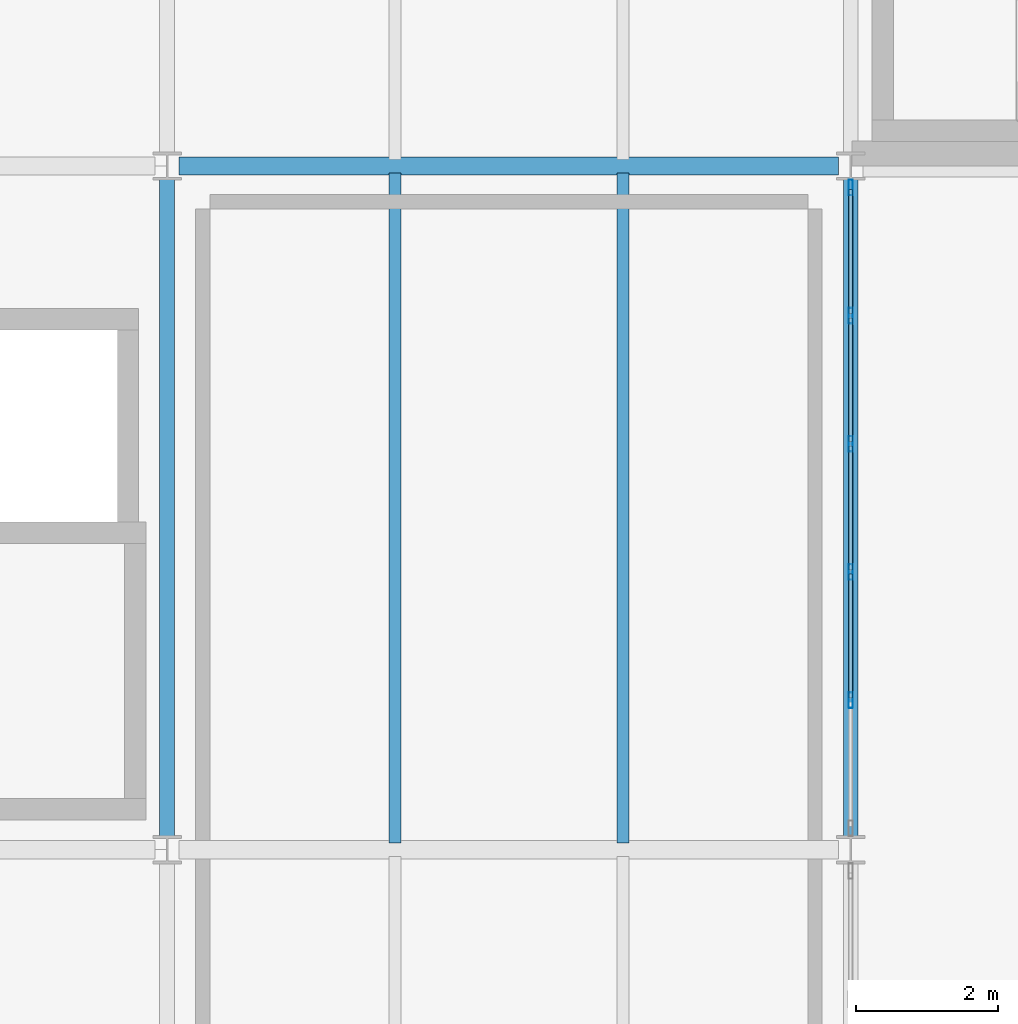
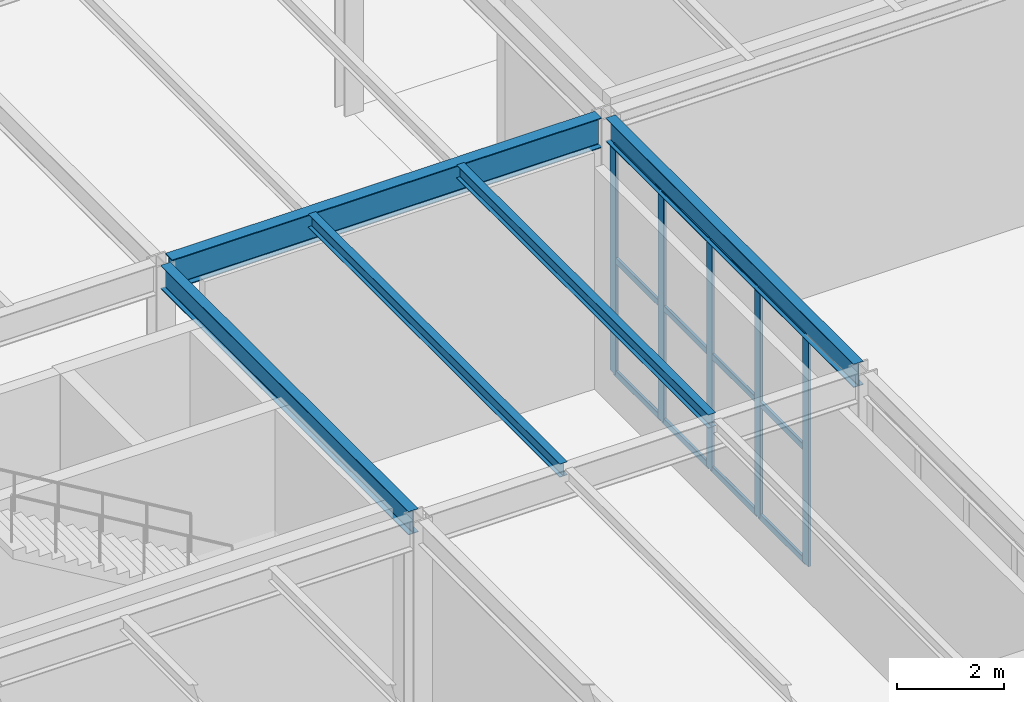
# One storey, part 49 of 142: 17 members, 5 beams, 1 element without a shape of its own.
"""IFC4 building model written with IfcOpenShell, lengths in metres."""

from ifc_helpers import new_model, si_unit, direction, frame, origin, origin_2d, place, context, subcontext, project, spatial, hollow_rectangle, i_section, extrude, material, material_profile, profile_set, type_object, element, aggregate, save


model = new_model("IFC4")

# Units and contexts
model_context = context("Model", 3, precision=1e-05, world=origin(), true_north=direction((0.0, 1.0)))
body_context = subcontext(model_context, "Body", "Model", "MODEL_VIEW")
ifc_project = project(units=[si_unit("LENGTHUNIT", "METRE"), si_unit("AREAUNIT", "SQUARE_METRE"), si_unit("VOLUMEUNIT", "CUBIC_METRE"), si_unit("PLANEANGLEUNIT", "RADIAN"), si_unit("MASSUNIT", "GRAM", prefix="KILO")], contexts=[model_context])

# Site, building, storey
site_placement = place(None, origin())
site = spatial("IfcSite", under=ifc_project, at=site_placement, CompositionType="ELEMENT")
building_placement = place(site_placement, origin())
building = spatial("IfcBuilding", under=site, at=building_placement, Name="Coralgate Yard Interchange", CompositionType="ELEMENT")
storey_placement = place(building_placement, origin())
storey = spatial("IfcBuildingStorey", under=building, at=storey_placement, Name="L00", CompositionType="ELEMENT", Elevation=0.0)

# Beams
ifc_material_1 = material(Name="Structural steel S355J2", Category="steel")
ifc_material_profile_1 = material_profile(ifc_material_1, i_section(OverallWidth=0.209228515625, OverallDepth=0.533203125, WebThickness=0.010009765625, FlangeThickness=0.015625, FilletRadius=0.0126953125, at=origin_2d()), Name="UB 533x210x92")
ifc_profile_set_1 = profile_set([ifc_material_profile_1], Name="Structural steel S355J2")
beam_type_1 = type_object("IfcBeamType", Name="BM-SB-1", PredefinedType="BEAM", material=ifc_profile_set_1)
for number, where, z_axis, x_axis, name in (
    (1, (19.199951171875, 28.966796875, 5.4833984375), (0.0, 1.0, 0.0), (-1.0, 0.0, 0.0), "L00 primary grid girder X2 Y3-4"),
    (2, (28.800048828125, 28.966796875, 5.4833984375), (0.0, 1.0, 0.0), (-1.0, 0.0, 0.0), "L00 primary grid girder X3 Y3-4"),
):
    element("IfcBeam", number, at=place(storey_placement, frame(where, z_axis=z_axis, x_axis=x_axis)), inside=storey, type_object=beam_type_1, Name=name, PredefinedType="BEAM", context=body_context, shape_type="SweptSolid", body=[
        extrude(i_section(OverallWidth=0.209228515625, OverallDepth=0.533203125, WebThickness=0.010009765625, FlangeThickness=0.015625, FilletRadius=0.0126953125, at=origin_2d()), origin(), (0.0, 0.0, 1.0), 9.266357421875),
    ])
ifc_material_profile_2 = material_profile(ifc_material_1, i_section(OverallWidth=0.253662109375, OverallDepth=0.68359375, WebThickness=0.012451171875, FlangeThickness=0.01904296875, FilletRadius=0.01513671875, at=origin_2d()), Name="UB 686x254x140")
ifc_profile_set_2 = profile_set([ifc_material_profile_2], Name="Structural steel S355J2")
beam_type_2 = type_object("IfcBeamType", Name="BM-SG-4", PredefinedType="BEAM", material=ifc_profile_set_2)
beam_placement = place(storey_placement, frame((19.369384765625, 38.39990234375, 5.408203125), z_axis=(1.0, 0.0, 0.0), x_axis=(0.0, 1.0, 0.0)))
element("IfcBeam", 3, at=beam_placement, inside=storey, type_object=beam_type_2, Name="L00 primary grid beam Y4 X2-3", PredefinedType="BEAM", context=body_context, shape_type="SweptSolid", body=[
    extrude(i_section(OverallWidth=0.253662109375, OverallDepth=0.68359375, WebThickness=0.012451171875, FlangeThickness=0.01904296875, FilletRadius=0.01513671875, at=origin_2d()), origin(), (0.0, 0.0, 1.0), 9.26123046875),
])
ifc_material_profile_3 = material_profile(ifc_material_1, i_section(OverallWidth=0.1650390625, OverallDepth=0.303466796875, WebThickness=0.006103515625, FlangeThickness=0.01025390625, FilletRadius=0.0087890625, at=origin_2d()), Name="UB 305x165x40")
ifc_profile_set_3 = profile_set([ifc_material_profile_3], Name="Structural steel S355J2")
beam_type_3 = type_object("IfcBeamType", Name="BM-SJ-1", PredefinedType="JOIST", material=ifc_profile_set_3)
for number, where, z_axis, x_axis, name in (
    (4, (22.39990234375, 28.896728515625, 5.598388671875), (0.0, 1.0, 0.0), (-1.0, 0.0, 0.0), "L00 composite floor joist 2-3-1"),
    (5, (25.60009765625, 28.896728515625, 5.598388671875), (0.0, 1.0, 0.0), (-1.0, 0.0, 0.0), "L00 composite floor joist 2-3-2"),
):
    element("IfcBeam", number, at=place(storey_placement, frame(where, z_axis=z_axis, x_axis=x_axis)), inside=storey, type_object=beam_type_3, Name=name, PredefinedType="JOIST", context=body_context, shape_type="SweptSolid", body=[
        extrude(i_section(OverallWidth=0.1650390625, OverallDepth=0.303466796875, WebThickness=0.006103515625, FlangeThickness=0.01025390625, FilletRadius=0.0087890625, at=origin_2d()), origin(), (0.0, 0.0, 1.0), 9.40625),
    ])

# Curtain wall, members
ifc_material_2 = material(Name="Anodised coastal aluminium and solar-control low-E glass", Category="aluminium")
curtain_wall_type = type_object("IfcCurtainWallType", Name="CW-CW-L00-A", PredefinedType="NOTDEFINED", material=ifc_material_2)
curtain_wall_placement = place(storey_placement, origin())
curtain_wall = element("IfcCurtainWall", 6, at=curtain_wall_placement, inside=storey, type_object=curtain_wall_type, Name="L00 unitised curtain wall CW-L00-E-02-03", PredefinedType="NOTDEFINED")
ifc_material_3 = material(Name="Anodised coastal aluminium 6063-T6", Category="aluminium")
ifc_material_profile_4 = material_profile(ifc_material_3, hollow_rectangle(XDim=0.06005859375, YDim=0.219970703125, WallThickness=0.00390625, InnerFilletRadius=0.00390625, OuterFilletRadius=0.008056640625, at=origin_2d()), Name="ALU 60x220x4")
ifc_profile_set_4 = profile_set([ifc_material_profile_4], Name="Anodised coastal aluminium 6063-T6")
member_type_1 = type_object("IfcMemberType", Name="MB-MUL-220", PredefinedType="MULLION", material=ifc_profile_set_4)
member_1_placement = place(storey_placement, frame((28.800048828125, 38.10009765625, 0.0), z_axis=(0.0, 0.0, 1.0), x_axis=(1.0, 0.0, 0.0)))
member_1 = element("IfcMember", 7, at=member_1_placement, type_object=member_type_1, Name="CW-L00-E-02-03 vertical mullion 1", PredefinedType="MULLION", context=body_context, shape_type="SweptSolid", body=[
    extrude(hollow_rectangle(XDim=0.06005859375, YDim=0.219970703125, WallThickness=0.00390625, InnerFilletRadius=0.00390625, OuterFilletRadius=0.008056640625, at=origin_2d()), origin(), (0.0, 0.0, 1.0), 5.216796875),
])
member_2_placement = place(storey_placement, frame((28.800048828125, 36.300048828125, 0.0), z_axis=(0.0, 0.0, 1.0), x_axis=(1.0, 0.0, 0.0)))
member_2 = element("IfcMember", 8, at=member_2_placement, type_object=member_type_1, Name="CW-L00-E-02-03 vertical mullion 2", PredefinedType="MULLION", context=body_context, shape_type="SweptSolid", body=[
    extrude(hollow_rectangle(XDim=0.06005859375, YDim=0.219970703125, WallThickness=0.00390625, InnerFilletRadius=0.00390625, OuterFilletRadius=0.008056640625, at=origin_2d()), origin(), (0.0, 0.0, 1.0), 5.216796875),
])
member_3_placement = place(storey_placement, frame((28.800048828125, 34.5, 0.0), z_axis=(0.0, 0.0, 1.0), x_axis=(1.0, 0.0, 0.0)))
member_3 = element("IfcMember", 9, at=member_3_placement, type_object=member_type_1, Name="CW-L00-E-02-03 vertical mullion 3", PredefinedType="MULLION", context=body_context, shape_type="SweptSolid", body=[
    extrude(hollow_rectangle(XDim=0.06005859375, YDim=0.219970703125, WallThickness=0.00390625, InnerFilletRadius=0.00390625, OuterFilletRadius=0.008056640625, at=origin_2d()), origin(), (0.0, 0.0, 1.0), 5.216796875),
])
member_4_placement = place(storey_placement, frame((28.800048828125, 32.699951171875, 0.0), z_axis=(0.0, 0.0, 1.0), x_axis=(1.0, 0.0, 0.0)))
member_4 = element("IfcMember", 10, at=member_4_placement, type_object=member_type_1, Name="CW-L00-E-02-03 vertical mullion 4", PredefinedType="MULLION", context=body_context, shape_type="SweptSolid", body=[
    extrude(hollow_rectangle(XDim=0.06005859375, YDim=0.219970703125, WallThickness=0.00390625, InnerFilletRadius=0.00390625, OuterFilletRadius=0.008056640625, at=origin_2d()), origin(), (0.0, 0.0, 1.0), 5.216796875),
])
member_5_placement = place(storey_placement, frame((28.800048828125, 30.89990234375, 0.0), z_axis=(0.0, 0.0, 1.0), x_axis=(1.0, 0.0, 0.0)))
member_5 = element("IfcMember", 11, at=member_5_placement, type_object=member_type_1, Name="CW-L00-E-02-03 vertical mullion 5", PredefinedType="MULLION", context=body_context, shape_type="SweptSolid", body=[
    extrude(hollow_rectangle(XDim=0.06005859375, YDim=0.219970703125, WallThickness=0.00390625, InnerFilletRadius=0.00390625, OuterFilletRadius=0.008056640625, at=origin_2d()), origin(), (0.0, 0.0, 1.0), 5.216796875),
])
ifc_material_profile_5 = material_profile(ifc_material_3, hollow_rectangle(XDim=0.06005859375, YDim=0.139892578125, WallThickness=0.00341796875, InnerFilletRadius=0.00341796875, OuterFilletRadius=0.007080078125, at=origin_2d()), Name="ALU 60x140x3.5")
ifc_profile_set_5 = profile_set([ifc_material_profile_5], Name="Anodised coastal aluminium 6063-T6")
member_type_2 = type_object("IfcMemberType", Name="MB-TRN-140", PredefinedType="USERDEFINED", material=ifc_profile_set_5)
member_6_placement = place(storey_placement, frame((28.800048828125, 38.070068359375, 0.034912109375), z_axis=(0.0, -1.0, 0.0), x_axis=(1.0, 0.0, 0.0)))
member_6 = element("IfcMember", 12, at=member_6_placement, type_object=member_type_2, Name="CW-L00-E-02-03 horizontal transom 1-1", ObjectType="TRANSOM", PredefinedType="USERDEFINED", context=body_context, shape_type="SweptSolid", body=[
    extrude(hollow_rectangle(XDim=0.06005859375, YDim=0.139892578125, WallThickness=0.00341796875, InnerFilletRadius=0.00341796875, OuterFilletRadius=0.007080078125, at=origin_2d()), origin(), (0.0, 0.0, 1.0), 1.739990234375),
])
member_7_placement = place(storey_placement, frame((28.800048828125, 38.070068359375, 2.6083984375), z_axis=(0.0, -1.0, 0.0), x_axis=(1.0, 0.0, 0.0)))
member_7 = element("IfcMember", 13, at=member_7_placement, type_object=member_type_2, Name="CW-L00-E-02-03 horizontal transom 1-2", ObjectType="TRANSOM", PredefinedType="USERDEFINED", context=body_context, shape_type="SweptSolid", body=[
    extrude(hollow_rectangle(XDim=0.06005859375, YDim=0.139892578125, WallThickness=0.00341796875, InnerFilletRadius=0.00341796875, OuterFilletRadius=0.007080078125, at=origin_2d()), origin(), (0.0, 0.0, 1.0), 1.739990234375),
])
member_8_placement = place(storey_placement, frame((28.800048828125, 38.070068359375, 5.181884765625), z_axis=(0.0, -1.0, 0.0), x_axis=(1.0, 0.0, 0.0)))
member_8 = element("IfcMember", 14, at=member_8_placement, type_object=member_type_2, Name="CW-L00-E-02-03 horizontal transom 1-3", ObjectType="TRANSOM", PredefinedType="USERDEFINED", context=body_context, shape_type="SweptSolid", body=[
    extrude(hollow_rectangle(XDim=0.06005859375, YDim=0.139892578125, WallThickness=0.00341796875, InnerFilletRadius=0.00341796875, OuterFilletRadius=0.007080078125, at=origin_2d()), origin(), (0.0, 0.0, 1.0), 1.739990234375),
])
member_9_placement = place(storey_placement, frame((28.800048828125, 36.27001953125, 0.034912109375), z_axis=(0.0, -1.0, 0.0), x_axis=(1.0, 0.0, 0.0)))
member_9 = element("IfcMember", 15, at=member_9_placement, type_object=member_type_2, Name="CW-L00-E-02-03 horizontal transom 2-1", ObjectType="TRANSOM", PredefinedType="USERDEFINED", context=body_context, shape_type="SweptSolid", body=[
    extrude(hollow_rectangle(XDim=0.06005859375, YDim=0.139892578125, WallThickness=0.00341796875, InnerFilletRadius=0.00341796875, OuterFilletRadius=0.007080078125, at=origin_2d()), origin(), (0.0, 0.0, 1.0), 1.739990234375),
])
member_10_placement = place(storey_placement, frame((28.800048828125, 36.27001953125, 2.6083984375), z_axis=(0.0, -1.0, 0.0), x_axis=(1.0, 0.0, 0.0)))
member_10 = element("IfcMember", 16, at=member_10_placement, type_object=member_type_2, Name="CW-L00-E-02-03 horizontal transom 2-2", ObjectType="TRANSOM", PredefinedType="USERDEFINED", context=body_context, shape_type="SweptSolid", body=[
    extrude(hollow_rectangle(XDim=0.06005859375, YDim=0.139892578125, WallThickness=0.00341796875, InnerFilletRadius=0.00341796875, OuterFilletRadius=0.007080078125, at=origin_2d()), origin(), (0.0, 0.0, 1.0), 1.739990234375),
])
member_11_placement = place(storey_placement, frame((28.800048828125, 36.27001953125, 5.181884765625), z_axis=(0.0, -1.0, 0.0), x_axis=(1.0, 0.0, 0.0)))
member_11 = element("IfcMember", 17, at=member_11_placement, type_object=member_type_2, Name="CW-L00-E-02-03 horizontal transom 2-3", ObjectType="TRANSOM", PredefinedType="USERDEFINED", context=body_context, shape_type="SweptSolid", body=[
    extrude(hollow_rectangle(XDim=0.06005859375, YDim=0.139892578125, WallThickness=0.00341796875, InnerFilletRadius=0.00341796875, OuterFilletRadius=0.007080078125, at=origin_2d()), origin(), (0.0, 0.0, 1.0), 1.739990234375),
])
member_12_placement = place(storey_placement, frame((28.800048828125, 34.469970703125, 0.034912109375), z_axis=(0.0, -1.0, 0.0), x_axis=(1.0, 0.0, 0.0)))
member_12 = element("IfcMember", 18, at=member_12_placement, type_object=member_type_2, Name="CW-L00-E-02-03 horizontal transom 3-1", ObjectType="TRANSOM", PredefinedType="USERDEFINED", context=body_context, shape_type="SweptSolid", body=[
    extrude(hollow_rectangle(XDim=0.06005859375, YDim=0.139892578125, WallThickness=0.00341796875, InnerFilletRadius=0.00341796875, OuterFilletRadius=0.007080078125, at=origin_2d()), origin(), (0.0, 0.0, 1.0), 1.739990234375),
])
member_13_placement = place(storey_placement, frame((28.800048828125, 34.469970703125, 2.6083984375), z_axis=(0.0, -1.0, 0.0), x_axis=(1.0, 0.0, 0.0)))
member_13 = element("IfcMember", 19, at=member_13_placement, type_object=member_type_2, Name="CW-L00-E-02-03 horizontal transom 3-2", ObjectType="TRANSOM", PredefinedType="USERDEFINED", context=body_context, shape_type="SweptSolid", body=[
    extrude(hollow_rectangle(XDim=0.06005859375, YDim=0.139892578125, WallThickness=0.00341796875, InnerFilletRadius=0.00341796875, OuterFilletRadius=0.007080078125, at=origin_2d()), origin(), (0.0, 0.0, 1.0), 1.739990234375),
])
member_14_placement = place(storey_placement, frame((28.800048828125, 34.469970703125, 5.181884765625), z_axis=(0.0, -1.0, 0.0), x_axis=(1.0, 0.0, 0.0)))
member_14 = element("IfcMember", 20, at=member_14_placement, type_object=member_type_2, Name="CW-L00-E-02-03 horizontal transom 3-3", ObjectType="TRANSOM", PredefinedType="USERDEFINED", context=body_context, shape_type="SweptSolid", body=[
    extrude(hollow_rectangle(XDim=0.06005859375, YDim=0.139892578125, WallThickness=0.00341796875, InnerFilletRadius=0.00341796875, OuterFilletRadius=0.007080078125, at=origin_2d()), origin(), (0.0, 0.0, 1.0), 1.739990234375),
])
member_15_placement = place(storey_placement, frame((28.800048828125, 32.669921875, 0.034912109375), z_axis=(0.0, -1.0, 0.0), x_axis=(1.0, 0.0, 0.0)))
member_15 = element("IfcMember", 21, at=member_15_placement, type_object=member_type_2, Name="CW-L00-E-02-03 horizontal transom 4-1", ObjectType="TRANSOM", PredefinedType="USERDEFINED", context=body_context, shape_type="SweptSolid", body=[
    extrude(hollow_rectangle(XDim=0.06005859375, YDim=0.139892578125, WallThickness=0.00341796875, InnerFilletRadius=0.00341796875, OuterFilletRadius=0.007080078125, at=origin_2d()), origin(), (0.0, 0.0, 1.0), 1.739990234375),
])
member_16_placement = place(storey_placement, frame((28.800048828125, 32.669921875, 2.6083984375), z_axis=(0.0, -1.0, 0.0), x_axis=(1.0, 0.0, 0.0)))
member_16 = element("IfcMember", 22, at=member_16_placement, type_object=member_type_2, Name="CW-L00-E-02-03 horizontal transom 4-2", ObjectType="TRANSOM", PredefinedType="USERDEFINED", context=body_context, shape_type="SweptSolid", body=[
    extrude(hollow_rectangle(XDim=0.06005859375, YDim=0.139892578125, WallThickness=0.00341796875, InnerFilletRadius=0.00341796875, OuterFilletRadius=0.007080078125, at=origin_2d()), origin(), (0.0, 0.0, 1.0), 1.739990234375),
])
member_17_placement = place(storey_placement, frame((28.800048828125, 32.669921875, 5.181884765625), z_axis=(0.0, -1.0, 0.0), x_axis=(1.0, 0.0, 0.0)))
member_17 = element("IfcMember", 23, at=member_17_placement, type_object=member_type_2, Name="CW-L00-E-02-03 horizontal transom 4-3", ObjectType="TRANSOM", PredefinedType="USERDEFINED", context=body_context, shape_type="SweptSolid", body=[
    extrude(hollow_rectangle(XDim=0.06005859375, YDim=0.139892578125, WallThickness=0.00341796875, InnerFilletRadius=0.00341796875, OuterFilletRadius=0.007080078125, at=origin_2d()), origin(), (0.0, 0.0, 1.0), 1.739990234375),
])
aggregate(curtain_wall, [member_1, member_2, member_3, member_4, member_5, member_6, member_7, member_8, member_9, member_10, member_11, member_12, member_13, member_14, member_15, member_16, member_17])

save(model, "model.ifc")
